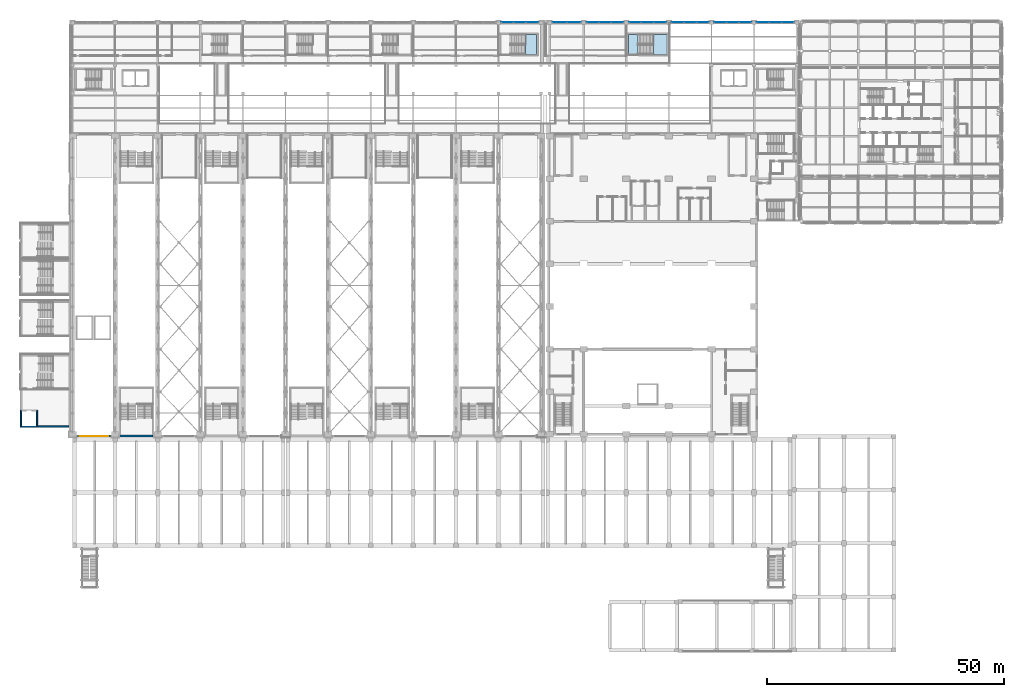
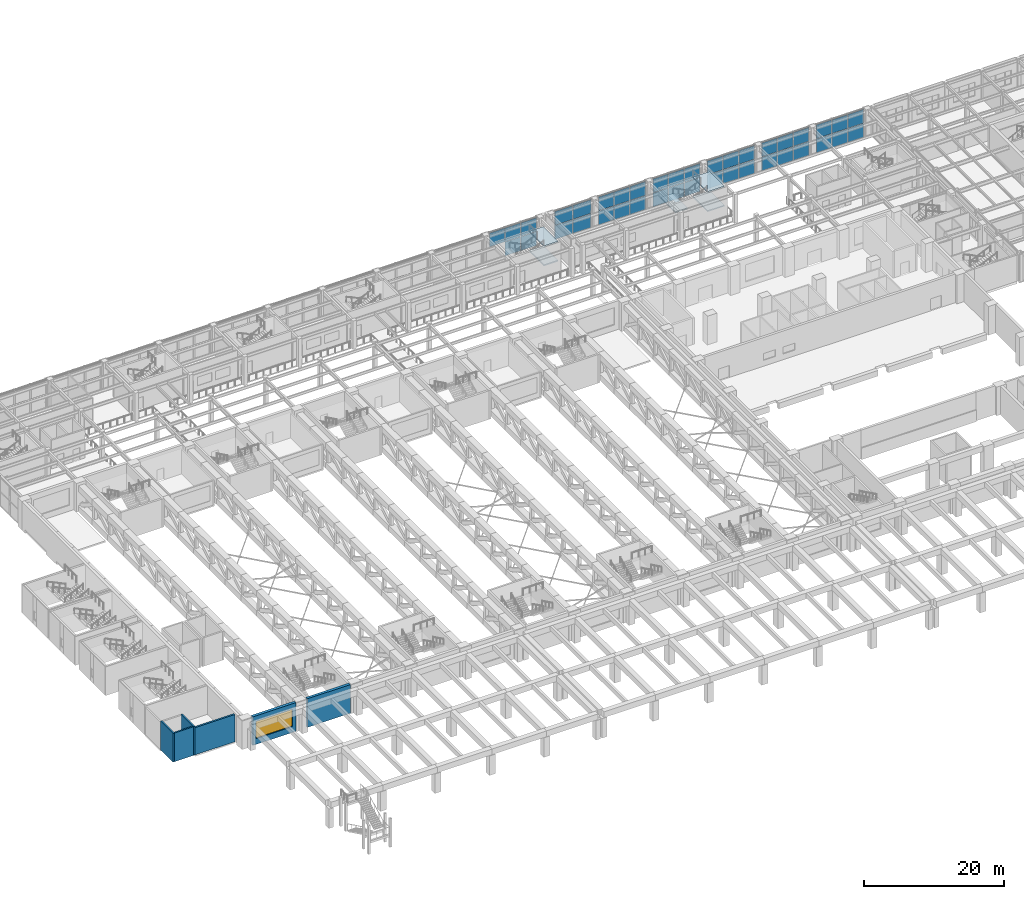
# One storey, part 31 of 76: 39 plates, 6 walls, 5 slabs, 1 window, 1 opening, 9 elements without a shape of their own.
"""IFC4 building model written with IfcOpenShell, lengths in metres."""

from ifc_helpers import new_model, si_unit, direction, frame, frame_2d, origin, origin_2d, place, context, subcontext, project, spatial, polyline, rectangle, outline, extrude, material, layer, layer_set, type_object, element, fill, aggregate, save


model = new_model("IFC4")

# Units and contexts
model_context = context("Model", 3, precision=1e-05, world=origin(), true_north=direction((0.0, 1.0)))
body_context = subcontext(model_context, "Body", "Model", "MODEL_VIEW")
ifc_project = project(units=[si_unit("LENGTHUNIT", "METRE"), si_unit("AREAUNIT", "SQUARE_METRE"), si_unit("VOLUMEUNIT", "CUBIC_METRE"), si_unit("PLANEANGLEUNIT", "RADIAN"), si_unit("MASSUNIT", "GRAM", prefix="KILO")], contexts=[model_context])

# Site, building, storey
site_placement = place(None, origin())
site = spatial("IfcSite", under=ifc_project, at=site_placement, CompositionType="ELEMENT")
building_placement = place(site_placement, origin())
building = spatial("IfcBuilding", under=site, at=building_placement, Name="Aravalli Gate Trade Fair Centre", CompositionType="ELEMENT")
storey_placement = place(building_placement, frame((0.0, 0.0, 10.0)))
storey = spatial("IfcBuildingStorey", under=building, at=storey_placement, Name="L02", CompositionType="ELEMENT", Elevation=10.0)

# Stair, slabs
ifc_material_1 = material(Name="Concrete M30", Category="concrete")
stair_type = type_object("IfcStairType", Name="Concourse stair, 2000 wide", PredefinedType="HALF_TURN_STAIR", material=ifc_material_1)
stair_1_placement = place(storey_placement, origin())
stair_1 = element("IfcStair", 1, at=stair_1_placement, inside=storey, type_object=stair_type, Name="Stair XD L02", PredefinedType="HALF_TURN_STAIR")
ifc_layer_1 = layer(ifc_material_1, 0.199951171875)
ifc_layer_set_1 = layer_set([ifc_layer_1], Name="Concrete M30")
slab_type = type_object("IfcSlabType", Name="Concourse stair landing 200", PredefinedType="LANDING", material=ifc_layer_set_1)
slab_1_placement = place(storey_placement, frame((0.0, 0.0, 1.466796875)))
slab_1 = element("IfcSlab", 2, at=slab_1_placement, type_object=slab_type, Name="STXD-L02 landing 1", PredefinedType="LANDING", context=body_context, shape_type="SweptSolid", body=[
    extrude(outline(polyline([(101.75, 126.300048828125), (104.050048828125, 126.300048828125), (104.050048828125, 130.5), (101.75, 130.5), (101.75, 126.300048828125)])), origin(), (0.0, 0.0, 1.0), 0.199951171875),
])
slab_2_placement = place(storey_placement, frame((0.0, 0.0, 4.800048828125)))
slab_2 = element("IfcSlab", 3, at=slab_2_placement, type_object=slab_type, Name="STXD-L02 landing 3", PredefinedType="LANDING", context=body_context, shape_type="SweptSolid", body=[
    extrude(outline(polyline([(101.75, 126.300048828125), (104.050048828125, 126.300048828125), (104.050048828125, 130.5), (101.75, 130.5), (101.75, 126.300048828125)])), origin(), (0.0, 0.0, 1.0), 0.199951171875),
])
aggregate(stair_1, [slab_1, slab_2])

stair_2_placement = place(storey_placement, origin())
stair_2 = element("IfcStair", 4, at=stair_2_placement, inside=storey, type_object=stair_type, Name="Stair XE L02", PredefinedType="HALF_TURN_STAIR")
slab_3_placement = place(storey_placement, frame((0.0, 0.0, 1.466796875)))
slab_3 = element("IfcSlab", 5, at=slab_3_placement, type_object=slab_type, Name="STXE-L02 landing 1", PredefinedType="LANDING", context=body_context, shape_type="SweptSolid", body=[
    extrude(outline(polyline([(128.75, 126.300048828125), (131.550048828125, 126.300048828125), (131.550048828125, 130.5), (128.75, 130.5), (128.75, 126.300048828125)])), origin(), (0.0, 0.0, 1.0), 0.199951171875),
])
slab_4_placement = place(storey_placement, frame((0.0, 0.0, 3.13330078125)))
slab_4 = element("IfcSlab", 6, at=slab_4_placement, type_object=slab_type, Name="STXE-L02 landing 2", PredefinedType="LANDING", context=body_context, shape_type="SweptSolid", body=[
    extrude(outline(polyline([(123.449951171875, 126.300048828125), (125.449951171875, 126.300048828125), (125.449951171875, 130.5), (123.449951171875, 130.5), (123.449951171875, 126.300048828125)])), origin(), (0.0, 0.0, 1.0), 0.199951171875),
])
slab_5_placement = place(storey_placement, frame((0.0, 0.0, 4.800048828125)))
slab_5 = element("IfcSlab", 7, at=slab_5_placement, type_object=slab_type, Name="STXE-L02 landing 3", PredefinedType="LANDING", context=body_context, shape_type="SweptSolid", body=[
    extrude(outline(polyline([(128.75, 126.300048828125), (131.550048828125, 126.300048828125), (131.550048828125, 130.5), (128.75, 130.5), (128.75, 126.300048828125)])), origin(), (0.0, 0.0, 1.0), 0.199951171875),
])
aggregate(stair_2, [slab_3, slab_4, slab_5])

# Curtain wall, plates
ifc_material_2 = material(Name="Aluminium and glass", Category="aluminium")
curtain_wall_type = type_object("IfcCurtainWallType", Name="Curtain wall 3000 module, tall", PredefinedType="NOTDEFINED", material=ifc_material_2)
curtain_wall_1_placement = place(storey_placement, origin())
curtain_wall_1 = element("IfcCurtainWall", 8, at=curtain_wall_1_placement, inside=storey, type_object=curtain_wall_type, Name="Curtain wall north bay 11 L02", PredefinedType="NOTDEFINED")
ifc_material_3 = material(Name="Glass, double glazed", Category="glass")
ifc_layer_2 = layer(ifc_material_3, 0.028076171875)
ifc_layer_set_2 = layer_set([ifc_layer_2], Name="Glass, double glazed")
plate_type = type_object("IfcPlateType", Name="Curtain wall panel, double glazed 28", PredefinedType="CURTAIN_PANEL", material=ifc_layer_set_2)
plate_1_placement = place(storey_placement, frame((97.881591796875, 133.044921875, 2.5302734375), z_axis=(0.0, 0.0, 1.0), x_axis=(1.0, 0.0, 0.0)))
plate_1 = element("IfcPlate", 9, at=plate_1_placement, type_object=plate_type, Name="CW3 panel 1.2", PredefinedType="CURTAIN_PANEL", context=body_context, shape_type="SweptSolid", body=[
    extrude(rectangle(XDim=2.543212890625, YDim=0.028076171875, at=origin_2d()), origin(), (0.0, 0.0, 1.0), 2.409912109375),
])
plate_2_placement = place(storey_placement, frame((100.5, 133.044921875, 0.06005859375), z_axis=(0.0, 0.0, 1.0), x_axis=(1.0, 0.0, 0.0)))
plate_2 = element("IfcPlate", 10, at=plate_2_placement, type_object=plate_type, Name="CW3 panel 2.1", PredefinedType="CURTAIN_PANEL", context=body_context, shape_type="SweptSolid", body=[
    extrude(rectangle(XDim=2.5732421875, YDim=0.028076171875, at=origin_2d()), origin(), (0.0, 0.0, 1.0), 2.409912109375),
])
plate_3_placement = place(storey_placement, frame((100.5, 133.044921875, 2.5302734375), z_axis=(0.0, 0.0, 1.0), x_axis=(1.0, 0.0, 0.0)))
plate_3 = element("IfcPlate", 11, at=plate_3_placement, type_object=plate_type, Name="CW3 panel 2.2", PredefinedType="CURTAIN_PANEL", context=body_context, shape_type="SweptSolid", body=[
    extrude(rectangle(XDim=2.5732421875, YDim=0.028076171875, at=origin_2d()), origin(), (0.0, 0.0, 1.0), 2.409912109375),
])
plate_4_placement = place(storey_placement, frame((103.118408203125, 133.044921875, 0.06005859375), z_axis=(0.0, 0.0, 1.0), x_axis=(1.0, 0.0, 0.0)))
plate_4 = element("IfcPlate", 12, at=plate_4_placement, type_object=plate_type, Name="CW3 panel 3.1", PredefinedType="CURTAIN_PANEL", context=body_context, shape_type="SweptSolid", body=[
    extrude(rectangle(XDim=2.543212890625, YDim=0.028076171875, at=origin_2d()), origin(), (0.0, 0.0, 1.0), 2.409912109375),
])
plate_5_placement = place(storey_placement, frame((103.118408203125, 133.044921875, 2.5302734375), z_axis=(0.0, 0.0, 1.0), x_axis=(1.0, 0.0, 0.0)))
plate_5 = element("IfcPlate", 13, at=plate_5_placement, type_object=plate_type, Name="CW3 panel 3.2", PredefinedType="CURTAIN_PANEL", context=body_context, shape_type="SweptSolid", body=[
    extrude(rectangle(XDim=2.543212890625, YDim=0.028076171875, at=origin_2d()), origin(), (0.0, 0.0, 1.0), 2.409912109375),
])
aggregate(curtain_wall_1, [plate_1, plate_2, plate_3, plate_4, plate_5])

curtain_wall_2_placement = place(storey_placement, origin())
curtain_wall_2 = element("IfcCurtainWall", 14, at=curtain_wall_2_placement, inside=storey, type_object=curtain_wall_type, Name="Curtain wall north bay 13 L02", PredefinedType="NOTDEFINED")
plate_6_placement = place(storey_placement, frame((108.889892578125, 133.044921875, 0.06005859375), z_axis=(0.0, 0.0, 1.0), x_axis=(1.0, 0.0, 0.0)))
plate_6 = element("IfcPlate", 15, at=plate_6_placement, type_object=plate_type, Name="CW3 panel 1.1", PredefinedType="CURTAIN_PANEL", context=body_context, shape_type="SweptSolid", body=[
    extrude(rectangle(XDim=2.9599609375, YDim=0.028076171875, at=origin_2d()), origin(), (0.0, 0.0, 1.0), 2.409912109375),
])
plate_7_placement = place(storey_placement, frame((108.889892578125, 133.044921875, 2.5302734375), z_axis=(0.0, 0.0, 1.0), x_axis=(1.0, 0.0, 0.0)))
plate_7 = element("IfcPlate", 16, at=plate_7_placement, type_object=plate_type, Name="CW3 panel 1.2", PredefinedType="CURTAIN_PANEL", context=body_context, shape_type="SweptSolid", body=[
    extrude(rectangle(XDim=2.9599609375, YDim=0.028076171875, at=origin_2d()), origin(), (0.0, 0.0, 1.0), 2.409912109375),
])
plate_8_placement = place(storey_placement, frame((111.909912109375, 133.044921875, 0.06005859375), z_axis=(0.0, 0.0, 1.0), x_axis=(1.0, 0.0, 0.0)))
plate_8 = element("IfcPlate", 17, at=plate_8_placement, type_object=plate_type, Name="CW3 panel 2.1", PredefinedType="CURTAIN_PANEL", context=body_context, shape_type="SweptSolid", body=[
    extrude(rectangle(XDim=2.9599609375, YDim=0.028076171875, at=origin_2d()), origin(), (0.0, 0.0, 1.0), 2.409912109375),
])
plate_9_placement = place(storey_placement, frame((111.909912109375, 133.044921875, 2.5302734375), z_axis=(0.0, 0.0, 1.0), x_axis=(1.0, 0.0, 0.0)))
plate_9 = element("IfcPlate", 18, at=plate_9_placement, type_object=plate_type, Name="CW3 panel 2.2", PredefinedType="CURTAIN_PANEL", context=body_context, shape_type="SweptSolid", body=[
    extrude(rectangle(XDim=2.9599609375, YDim=0.028076171875, at=origin_2d()), origin(), (0.0, 0.0, 1.0), 2.409912109375),
])
aggregate(curtain_wall_2, [plate_6, plate_7, plate_8, plate_9])

curtain_wall_3_placement = place(storey_placement, origin())
curtain_wall_3 = element("IfcCurtainWall", 19, at=curtain_wall_3_placement, inside=storey, type_object=curtain_wall_type, Name="Curtain wall north bay 14 L02", PredefinedType="NOTDEFINED")
plate_10_placement = place(storey_placement, frame((115.881591796875, 133.044921875, 0.06005859375), z_axis=(0.0, 0.0, 1.0), x_axis=(1.0, 0.0, 0.0)))
plate_10 = element("IfcPlate", 20, at=plate_10_placement, type_object=plate_type, Name="CW3 panel 1.1", PredefinedType="CURTAIN_PANEL", context=body_context, shape_type="SweptSolid", body=[
    extrude(rectangle(XDim=2.543212890625, YDim=0.028076171875, at=origin_2d()), origin(), (0.0, 0.0, 1.0), 2.409912109375),
])
plate_11_placement = place(storey_placement, frame((115.881591796875, 133.044921875, 2.5302734375), z_axis=(0.0, 0.0, 1.0), x_axis=(1.0, 0.0, 0.0)))
plate_11 = element("IfcPlate", 21, at=plate_11_placement, type_object=plate_type, Name="CW3 panel 1.2", PredefinedType="CURTAIN_PANEL", context=body_context, shape_type="SweptSolid", body=[
    extrude(rectangle(XDim=2.543212890625, YDim=0.028076171875, at=origin_2d()), origin(), (0.0, 0.0, 1.0), 2.409912109375),
])
plate_12_placement = place(storey_placement, frame((118.5, 133.044921875, 0.06005859375), z_axis=(0.0, 0.0, 1.0), x_axis=(1.0, 0.0, 0.0)))
plate_12 = element("IfcPlate", 22, at=plate_12_placement, type_object=plate_type, Name="CW3 panel 2.1", PredefinedType="CURTAIN_PANEL", context=body_context, shape_type="SweptSolid", body=[
    extrude(rectangle(XDim=2.5732421875, YDim=0.028076171875, at=origin_2d()), origin(), (0.0, 0.0, 1.0), 2.409912109375),
])
plate_13_placement = place(storey_placement, frame((118.5, 133.044921875, 2.5302734375), z_axis=(0.0, 0.0, 1.0), x_axis=(1.0, 0.0, 0.0)))
plate_13 = element("IfcPlate", 23, at=plate_13_placement, type_object=plate_type, Name="CW3 panel 2.2", PredefinedType="CURTAIN_PANEL", context=body_context, shape_type="SweptSolid", body=[
    extrude(rectangle(XDim=2.5732421875, YDim=0.028076171875, at=origin_2d()), origin(), (0.0, 0.0, 1.0), 2.409912109375),
])
plate_14_placement = place(storey_placement, frame((121.118408203125, 133.044921875, 0.06005859375), z_axis=(0.0, 0.0, 1.0), x_axis=(1.0, 0.0, 0.0)))
plate_14 = element("IfcPlate", 24, at=plate_14_placement, type_object=plate_type, Name="CW3 panel 3.1", PredefinedType="CURTAIN_PANEL", context=body_context, shape_type="SweptSolid", body=[
    extrude(rectangle(XDim=2.543212890625, YDim=0.028076171875, at=origin_2d()), origin(), (0.0, 0.0, 1.0), 2.409912109375),
])
plate_15_placement = place(storey_placement, frame((121.118408203125, 133.044921875, 2.5302734375), z_axis=(0.0, 0.0, 1.0), x_axis=(1.0, 0.0, 0.0)))
plate_15 = element("IfcPlate", 25, at=plate_15_placement, type_object=plate_type, Name="CW3 panel 3.2", PredefinedType="CURTAIN_PANEL", context=body_context, shape_type="SweptSolid", body=[
    extrude(rectangle(XDim=2.543212890625, YDim=0.028076171875, at=origin_2d()), origin(), (0.0, 0.0, 1.0), 2.409912109375),
])
aggregate(curtain_wall_3, [plate_10, plate_11, plate_12, plate_13, plate_14, plate_15])

curtain_wall_4_placement = place(storey_placement, origin())
curtain_wall_4 = element("IfcCurtainWall", 26, at=curtain_wall_4_placement, inside=storey, type_object=curtain_wall_type, Name="Curtain wall north bay 15 L02", PredefinedType="NOTDEFINED")
plate_16_placement = place(storey_placement, frame((124.881591796875, 133.044921875, 0.06005859375), z_axis=(0.0, 0.0, 1.0), x_axis=(1.0, 0.0, 0.0)))
plate_16 = element("IfcPlate", 27, at=plate_16_placement, type_object=plate_type, Name="CW3 panel 1.1", PredefinedType="CURTAIN_PANEL", context=body_context, shape_type="SweptSolid", body=[
    extrude(rectangle(XDim=2.543212890625, YDim=0.028076171875, at=origin_2d()), origin(), (0.0, 0.0, 1.0), 2.409912109375),
])
plate_17_placement = place(storey_placement, frame((124.881591796875, 133.044921875, 2.5302734375), z_axis=(0.0, 0.0, 1.0), x_axis=(1.0, 0.0, 0.0)))
plate_17 = element("IfcPlate", 28, at=plate_17_placement, type_object=plate_type, Name="CW3 panel 1.2", PredefinedType="CURTAIN_PANEL", context=body_context, shape_type="SweptSolid", body=[
    extrude(rectangle(XDim=2.543212890625, YDim=0.028076171875, at=origin_2d()), origin(), (0.0, 0.0, 1.0), 2.409912109375),
])
plate_18_placement = place(storey_placement, frame((127.5, 133.044921875, 0.06005859375), z_axis=(0.0, 0.0, 1.0), x_axis=(1.0, 0.0, 0.0)))
plate_18 = element("IfcPlate", 29, at=plate_18_placement, type_object=plate_type, Name="CW3 panel 2.1", PredefinedType="CURTAIN_PANEL", context=body_context, shape_type="SweptSolid", body=[
    extrude(rectangle(XDim=2.5732421875, YDim=0.028076171875, at=origin_2d()), origin(), (0.0, 0.0, 1.0), 2.409912109375),
])
plate_19_placement = place(storey_placement, frame((127.5, 133.044921875, 2.5302734375), z_axis=(0.0, 0.0, 1.0), x_axis=(1.0, 0.0, 0.0)))
plate_19 = element("IfcPlate", 30, at=plate_19_placement, type_object=plate_type, Name="CW3 panel 2.2", PredefinedType="CURTAIN_PANEL", context=body_context, shape_type="SweptSolid", body=[
    extrude(rectangle(XDim=2.5732421875, YDim=0.028076171875, at=origin_2d()), origin(), (0.0, 0.0, 1.0), 2.409912109375),
])
plate_20_placement = place(storey_placement, frame((130.118408203125, 133.044921875, 0.06005859375), z_axis=(0.0, 0.0, 1.0), x_axis=(1.0, 0.0, 0.0)))
plate_20 = element("IfcPlate", 31, at=plate_20_placement, type_object=plate_type, Name="CW3 panel 3.1", PredefinedType="CURTAIN_PANEL", context=body_context, shape_type="SweptSolid", body=[
    extrude(rectangle(XDim=2.543212890625, YDim=0.028076171875, at=origin_2d()), origin(), (0.0, 0.0, 1.0), 2.409912109375),
])
plate_21_placement = place(storey_placement, frame((130.118408203125, 133.044921875, 2.5302734375), z_axis=(0.0, 0.0, 1.0), x_axis=(1.0, 0.0, 0.0)))
plate_21 = element("IfcPlate", 32, at=plate_21_placement, type_object=plate_type, Name="CW3 panel 3.2", PredefinedType="CURTAIN_PANEL", context=body_context, shape_type="SweptSolid", body=[
    extrude(rectangle(XDim=2.543212890625, YDim=0.028076171875, at=origin_2d()), origin(), (0.0, 0.0, 1.0), 2.409912109375),
])
aggregate(curtain_wall_4, [plate_16, plate_17, plate_18, plate_19, plate_20, plate_21])

curtain_wall_5_placement = place(storey_placement, origin())
curtain_wall_5 = element("IfcCurtainWall", 33, at=curtain_wall_5_placement, inside=storey, type_object=curtain_wall_type, Name="Curtain wall north bay 16 L02", PredefinedType="NOTDEFINED")
plate_22_placement = place(storey_placement, frame((133.881591796875, 133.044921875, 0.06005859375), z_axis=(0.0, 0.0, 1.0), x_axis=(1.0, 0.0, 0.0)))
plate_22 = element("IfcPlate", 34, at=plate_22_placement, type_object=plate_type, Name="CW3 panel 1.1", PredefinedType="CURTAIN_PANEL", context=body_context, shape_type="SweptSolid", body=[
    extrude(rectangle(XDim=2.543212890625, YDim=0.028076171875, at=origin_2d()), origin(), (0.0, 0.0, 1.0), 2.409912109375),
])
plate_23_placement = place(storey_placement, frame((133.881591796875, 133.044921875, 2.5302734375), z_axis=(0.0, 0.0, 1.0), x_axis=(1.0, 0.0, 0.0)))
plate_23 = element("IfcPlate", 35, at=plate_23_placement, type_object=plate_type, Name="CW3 panel 1.2", PredefinedType="CURTAIN_PANEL", context=body_context, shape_type="SweptSolid", body=[
    extrude(rectangle(XDim=2.543212890625, YDim=0.028076171875, at=origin_2d()), origin(), (0.0, 0.0, 1.0), 2.409912109375),
])
plate_24_placement = place(storey_placement, frame((136.5, 133.044921875, 0.06005859375), z_axis=(0.0, 0.0, 1.0), x_axis=(1.0, 0.0, 0.0)))
plate_24 = element("IfcPlate", 36, at=plate_24_placement, type_object=plate_type, Name="CW3 panel 2.1", PredefinedType="CURTAIN_PANEL", context=body_context, shape_type="SweptSolid", body=[
    extrude(rectangle(XDim=2.5732421875, YDim=0.028076171875, at=origin_2d()), origin(), (0.0, 0.0, 1.0), 2.409912109375),
])
plate_25_placement = place(storey_placement, frame((136.5, 133.044921875, 2.5302734375), z_axis=(0.0, 0.0, 1.0), x_axis=(1.0, 0.0, 0.0)))
plate_25 = element("IfcPlate", 37, at=plate_25_placement, type_object=plate_type, Name="CW3 panel 2.2", PredefinedType="CURTAIN_PANEL", context=body_context, shape_type="SweptSolid", body=[
    extrude(rectangle(XDim=2.5732421875, YDim=0.028076171875, at=origin_2d()), origin(), (0.0, 0.0, 1.0), 2.409912109375),
])
plate_26_placement = place(storey_placement, frame((139.118408203125, 133.044921875, 0.06005859375), z_axis=(0.0, 0.0, 1.0), x_axis=(1.0, 0.0, 0.0)))
plate_26 = element("IfcPlate", 38, at=plate_26_placement, type_object=plate_type, Name="CW3 panel 3.1", PredefinedType="CURTAIN_PANEL", context=body_context, shape_type="SweptSolid", body=[
    extrude(rectangle(XDim=2.543212890625, YDim=0.028076171875, at=origin_2d()), origin(), (0.0, 0.0, 1.0), 2.409912109375),
])
plate_27_placement = place(storey_placement, frame((139.118408203125, 133.044921875, 2.5302734375), z_axis=(0.0, 0.0, 1.0), x_axis=(1.0, 0.0, 0.0)))
plate_27 = element("IfcPlate", 39, at=plate_27_placement, type_object=plate_type, Name="CW3 panel 3.2", PredefinedType="CURTAIN_PANEL", context=body_context, shape_type="SweptSolid", body=[
    extrude(rectangle(XDim=2.543212890625, YDim=0.028076171875, at=origin_2d()), origin(), (0.0, 0.0, 1.0), 2.409912109375),
])
aggregate(curtain_wall_5, [plate_22, plate_23, plate_24, plate_25, plate_26, plate_27])

curtain_wall_6_placement = place(storey_placement, origin())
curtain_wall_6 = element("IfcCurtainWall", 40, at=curtain_wall_6_placement, inside=storey, type_object=curtain_wall_type, Name="Curtain wall north bay 17 L02", PredefinedType="NOTDEFINED")
plate_28_placement = place(storey_placement, frame((142.881591796875, 133.044921875, 0.06005859375), z_axis=(0.0, 0.0, 1.0), x_axis=(1.0, 0.0, 0.0)))
plate_28 = element("IfcPlate", 41, at=plate_28_placement, type_object=plate_type, Name="CW3 panel 1.1", PredefinedType="CURTAIN_PANEL", context=body_context, shape_type="SweptSolid", body=[
    extrude(rectangle(XDim=2.543212890625, YDim=0.028076171875, at=origin_2d()), origin(), (0.0, 0.0, 1.0), 2.409912109375),
])
plate_29_placement = place(storey_placement, frame((142.881591796875, 133.044921875, 2.5302734375), z_axis=(0.0, 0.0, 1.0), x_axis=(1.0, 0.0, 0.0)))
plate_29 = element("IfcPlate", 42, at=plate_29_placement, type_object=plate_type, Name="CW3 panel 1.2", PredefinedType="CURTAIN_PANEL", context=body_context, shape_type="SweptSolid", body=[
    extrude(rectangle(XDim=2.543212890625, YDim=0.028076171875, at=origin_2d()), origin(), (0.0, 0.0, 1.0), 2.409912109375),
])
plate_30_placement = place(storey_placement, frame((145.5, 133.044921875, 0.06005859375), z_axis=(0.0, 0.0, 1.0), x_axis=(1.0, 0.0, 0.0)))
plate_30 = element("IfcPlate", 43, at=plate_30_placement, type_object=plate_type, Name="CW3 panel 2.1", PredefinedType="CURTAIN_PANEL", context=body_context, shape_type="SweptSolid", body=[
    extrude(rectangle(XDim=2.5732421875, YDim=0.028076171875, at=origin_2d()), origin(), (0.0, 0.0, 1.0), 2.409912109375),
])
plate_31_placement = place(storey_placement, frame((145.5, 133.044921875, 2.5302734375), z_axis=(0.0, 0.0, 1.0), x_axis=(1.0, 0.0, 0.0)))
plate_31 = element("IfcPlate", 44, at=plate_31_placement, type_object=plate_type, Name="CW3 panel 2.2", PredefinedType="CURTAIN_PANEL", context=body_context, shape_type="SweptSolid", body=[
    extrude(rectangle(XDim=2.5732421875, YDim=0.028076171875, at=origin_2d()), origin(), (0.0, 0.0, 1.0), 2.409912109375),
])
plate_32_placement = place(storey_placement, frame((148.118408203125, 133.044921875, 0.06005859375), z_axis=(0.0, 0.0, 1.0), x_axis=(1.0, 0.0, 0.0)))
plate_32 = element("IfcPlate", 45, at=plate_32_placement, type_object=plate_type, Name="CW3 panel 3.1", PredefinedType="CURTAIN_PANEL", context=body_context, shape_type="SweptSolid", body=[
    extrude(rectangle(XDim=2.543212890625, YDim=0.028076171875, at=origin_2d()), origin(), (0.0, 0.0, 1.0), 2.409912109375),
])
plate_33_placement = place(storey_placement, frame((148.118408203125, 133.044921875, 2.5302734375), z_axis=(0.0, 0.0, 1.0), x_axis=(1.0, 0.0, 0.0)))
plate_33 = element("IfcPlate", 46, at=plate_33_placement, type_object=plate_type, Name="CW3 panel 3.2", PredefinedType="CURTAIN_PANEL", context=body_context, shape_type="SweptSolid", body=[
    extrude(rectangle(XDim=2.543212890625, YDim=0.028076171875, at=origin_2d()), origin(), (0.0, 0.0, 1.0), 2.409912109375),
])
aggregate(curtain_wall_6, [plate_28, plate_29, plate_30, plate_31, plate_32, plate_33])

curtain_wall_7_placement = place(storey_placement, origin())
curtain_wall_7 = element("IfcCurtainWall", 47, at=curtain_wall_7_placement, inside=storey, type_object=curtain_wall_type, Name="Curtain wall north bay 18 L02", PredefinedType="NOTDEFINED")
plate_34_placement = place(storey_placement, frame((151.881591796875, 133.044921875, 0.06005859375), z_axis=(0.0, 0.0, 1.0), x_axis=(1.0, 0.0, 0.0)))
plate_34 = element("IfcPlate", 48, at=plate_34_placement, type_object=plate_type, Name="CW3 panel 1.1", PredefinedType="CURTAIN_PANEL", context=body_context, shape_type="SweptSolid", body=[
    extrude(rectangle(XDim=2.543212890625, YDim=0.028076171875, at=origin_2d()), origin(), (0.0, 0.0, 1.0), 2.409912109375),
])
plate_35_placement = place(storey_placement, frame((151.881591796875, 133.044921875, 2.5302734375), z_axis=(0.0, 0.0, 1.0), x_axis=(1.0, 0.0, 0.0)))
plate_35 = element("IfcPlate", 49, at=plate_35_placement, type_object=plate_type, Name="CW3 panel 1.2", PredefinedType="CURTAIN_PANEL", context=body_context, shape_type="SweptSolid", body=[
    extrude(rectangle(XDim=2.543212890625, YDim=0.028076171875, at=origin_2d()), origin(), (0.0, 0.0, 1.0), 2.409912109375),
])
plate_36_placement = place(storey_placement, frame((154.5, 133.044921875, 0.06005859375), z_axis=(0.0, 0.0, 1.0), x_axis=(1.0, 0.0, 0.0)))
plate_36 = element("IfcPlate", 50, at=plate_36_placement, type_object=plate_type, Name="CW3 panel 2.1", PredefinedType="CURTAIN_PANEL", context=body_context, shape_type="SweptSolid", body=[
    extrude(rectangle(XDim=2.5732421875, YDim=0.028076171875, at=origin_2d()), origin(), (0.0, 0.0, 1.0), 2.409912109375),
])
plate_37_placement = place(storey_placement, frame((154.5, 133.044921875, 2.5302734375), z_axis=(0.0, 0.0, 1.0), x_axis=(1.0, 0.0, 0.0)))
plate_37 = element("IfcPlate", 51, at=plate_37_placement, type_object=plate_type, Name="CW3 panel 2.2", PredefinedType="CURTAIN_PANEL", context=body_context, shape_type="SweptSolid", body=[
    extrude(rectangle(XDim=2.5732421875, YDim=0.028076171875, at=origin_2d()), origin(), (0.0, 0.0, 1.0), 2.409912109375),
])
plate_38_placement = place(storey_placement, frame((157.118408203125, 133.044921875, 0.06005859375), z_axis=(0.0, 0.0, 1.0), x_axis=(1.0, 0.0, 0.0)))
plate_38 = element("IfcPlate", 52, at=plate_38_placement, type_object=plate_type, Name="CW3 panel 3.1", PredefinedType="CURTAIN_PANEL", context=body_context, shape_type="SweptSolid", body=[
    extrude(rectangle(XDim=2.543212890625, YDim=0.028076171875, at=origin_2d()), origin(), (0.0, 0.0, 1.0), 2.409912109375),
])
plate_39_placement = place(storey_placement, frame((157.118408203125, 133.044921875, 2.5302734375), z_axis=(0.0, 0.0, 1.0), x_axis=(1.0, 0.0, 0.0)))
plate_39 = element("IfcPlate", 53, at=plate_39_placement, type_object=plate_type, Name="CW3 panel 3.2", PredefinedType="CURTAIN_PANEL", context=body_context, shape_type="SweptSolid", body=[
    extrude(rectangle(XDim=2.543212890625, YDim=0.028076171875, at=origin_2d()), origin(), (0.0, 0.0, 1.0), 2.409912109375),
])
aggregate(curtain_wall_7, [plate_34, plate_35, plate_36, plate_37, plate_38, plate_39])

# Walls
ifc_material_4 = material(Name="Concrete M40", Category="concrete")
ifc_layer_3 = layer(ifc_material_4, 0.300048828125)
ifc_layer_set_3 = layer_set([ifc_layer_3], Name="Concrete M40")
wall_type_1 = type_object("IfcWallType", Name="Firefighting block wall RC 300", PredefinedType="SHEAR", material=ifc_layer_set_3)
wall_1_placement = place(storey_placement, frame((-1.39990234375, 47.64990234375, 0.0), z_axis=(0.0, 0.0, 1.0), x_axis=(1.0, 0.0, 0.0)))
element("IfcWall", 54, at=wall_1_placement, inside=storey, type_object=wall_type_1, Name="Firefighting lobby south wall L02", PredefinedType="SHEAR", context=body_context, shape_type="SweptSolid", body=[
    extrude(rectangle(XDim=6.599853515625, YDim=0.300048828125, at=frame_2d((3.2998046875, 0.0))), origin(), (0.0, 0.0, 1.0), 4.75),
])
ifc_layer_4 = layer(ifc_material_4, 0.25)
ifc_layer_set_4 = layer_set([ifc_layer_4], Name="Concrete M40")
wall_type_2 = type_object("IfcWallType", Name="Firefighting shaft wall RC 250", PredefinedType="SHEAR", material=ifc_layer_set_4)
for number, where, z_axis, x_axis, name in (
    (55, (-4.875, 47.5, 0.0), (0.0, 0.0, 1.0), (0.0, 1.0, 0.0), "Firefighting lift shaft wall W L02"),
    (56, (-1.52490234375, 47.5, 0.0), (0.0, 0.0, 1.0), (0.0, 1.0, 0.0), "Firefighting lift shaft wall E L02"),
):
    element("IfcWall", number, at=place(storey_placement, frame(where, z_axis=z_axis, x_axis=x_axis)), inside=storey, type_object=wall_type_2, Name=name, PredefinedType="SHEAR", context=body_context, shape_type="SweptSolid", body=[
        extrude(rectangle(XDim=3.60009765625, YDim=0.25, at=frame_2d((1.800048828125, 0.0))), origin(), (0.0, 0.0, 1.0), 5.0),
    ])
wall_2_placement = place(storey_placement, frame((-4.75, 47.625, 0.0), z_axis=(0.0, 0.0, 1.0), x_axis=(1.0, 0.0, 0.0)))
element("IfcWall", 57, at=wall_2_placement, inside=storey, type_object=wall_type_2, Name="Firefighting lift shaft wall B L02", PredefinedType="SHEAR", context=body_context, shape_type="SweptSolid", body=[
    extrude(rectangle(XDim=3.10009765625, YDim=0.25, at=frame_2d((1.550048828125, 0.0))), origin(), (0.0, 0.0, 1.0), 5.0),
])

# Wall, opening, window
ifc_layer_5 = layer(ifc_material_4, 0.25, Name="Structural wall")
ifc_material_5 = material(Name="Ventilated air cavity")
ifc_layer_6 = layer(ifc_material_5, 0.10009765625, ventilated=True, Name="Ventilated cavity")
ifc_material_6 = material(Name="Terracotta rainscreen", Category="masonry")
ifc_layer_7 = layer(ifc_material_6, 0.10009765625, Name="Rainscreen cladding")
ifc_layer_set_5 = layer_set([ifc_layer_5, ifc_layer_6, ifc_layer_7], Name="Hall external wall 450")
wall_type_3 = type_object("IfcWallType", Name="Hall external wall 450", PredefinedType="SOLIDWALL", material=ifc_layer_set_5)
wall_3_placement = place(storey_placement, frame((6.949951171875, 45.625, 0.0), z_axis=(0.0, 0.0, 1.0), x_axis=(1.0, 0.0, 0.0)))
wall_3 = element("IfcWall", 58, at=wall_3_placement, inside=storey, type_object=wall_type_3, Name="Hall south wall bay 1 L02", PredefinedType="SOLIDWALL", context=body_context, shape_type="SweptSolid", body=[
    extrude(rectangle(XDim=7.10009765625, YDim=0.449951171875, at=frame_2d((3.550048828125, 0.0))), origin(), (0.0, 0.0, 1.0), 5.0),
])
opening_placement = place(wall_3_placement, frame((0.550048828125, 0.0, 1.0)))
opening = element("IfcOpeningElement", 59, at=opening_placement, cuts=wall_3, Name="Opening LV1", PredefinedType="OPENING", context=body_context, shape_type="SweptSolid", body=[
    extrude(rectangle(XDim=6.0, YDim=3.0, at=frame_2d((3.0, 1.5))), frame((0.0, 0.23486328125, 0.0), z_axis=(0.0, -1.0, 0.0), x_axis=(1.0, 0.0, 0.0)), (0.0, 0.0, 1.0), 0.469970703125),
])
ifc_material_7 = material(Name="Aluminium", Category="aluminium")
window_type = type_object("IfcWindowType", Name="Hall louvre 6000x3000", PartitioningType="SINGLE_PANEL", PredefinedType="USERDEFINED", material=ifc_material_7)
window_placement = place(opening_placement, origin())
window = element("IfcWindow", 60, at=window_placement, inside=storey, type_object=window_type, Name="Hall south louvre bay 1 L02", ObjectType="LOUVRE", OverallHeight=3.0, OverallWidth=6.0, PartitioningType="SINGLE_PANEL", PredefinedType="USERDEFINED", context=body_context, shape_type="SweptSolid", body=[
    extrude(rectangle(XDim=6.0, YDim=3.0, at=frame_2d((3.0, 1.5))), frame((0.0, 0.030029296875, 0.0), z_axis=(0.0, -1.0, 0.0), x_axis=(1.0, 0.0, 0.0)), (0.0, 0.0, 1.0), 0.06005859375),
])
fill(opening, window)

# Wall
wall_4_placement = place(storey_placement, frame((15.949951171875, 45.625, 0.0), z_axis=(0.0, 0.0, 1.0), x_axis=(1.0, 0.0, 0.0)))
element("IfcWall", 61, at=wall_4_placement, inside=storey, type_object=wall_type_3, Name="Hall south wall bay 2 L02", PredefinedType="SOLIDWALL", context=body_context, shape_type="SweptSolid", body=[
    extrude(rectangle(XDim=7.10009765625, YDim=0.449951171875, at=frame_2d((3.550048828125, 0.0))), origin(), (0.0, 0.0, 1.0), 5.0),
])

save(model, "model.ifc")
